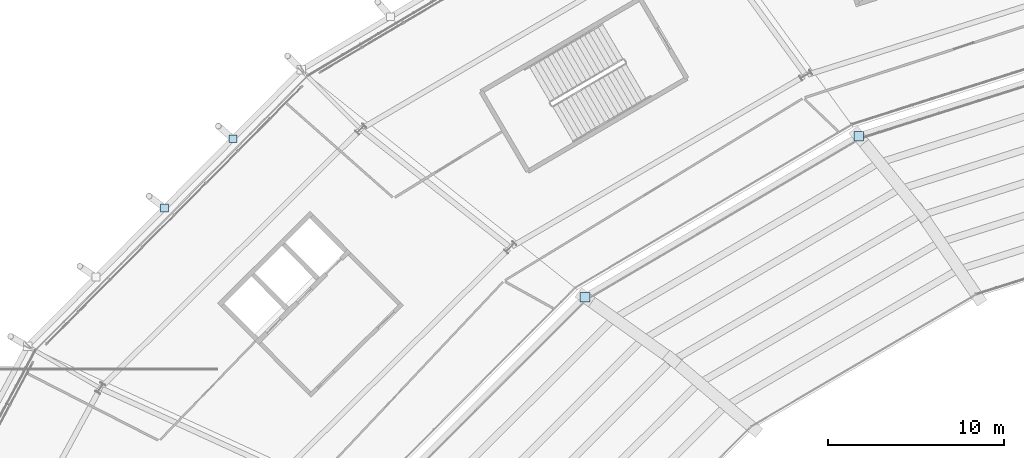
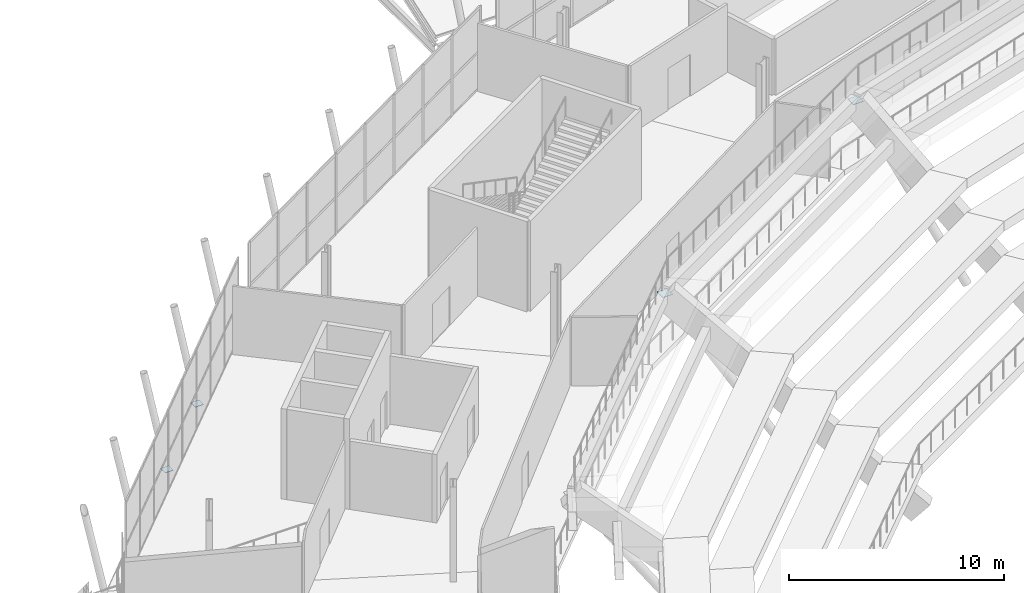
# One storey, part 81 of 126: 4 plates.
"""IFC4 building model written with IfcOpenShell, lengths in metres."""

from ifc_helpers import new_model, si_unit, direction, frame, origin, origin_2d, place, context, subcontext, project, spatial, rectangle, extrude, material, layer, layer_set, type_object, element, save


model = new_model("IFC4")

# Units and contexts
model_context = context("Model", 3, precision=1e-05, world=origin(), true_north=direction((0.0, 1.0)))
body_context = subcontext(model_context, "Body", "Model", "MODEL_VIEW")
ifc_project = project(units=[si_unit("LENGTHUNIT", "METRE"), si_unit("AREAUNIT", "SQUARE_METRE"), si_unit("VOLUMEUNIT", "CUBIC_METRE"), si_unit("PLANEANGLEUNIT", "RADIAN"), si_unit("MASSUNIT", "GRAM", prefix="KILO")], contexts=[model_context])

# Site, building, storey
site_placement = place(None, origin())
site = spatial("IfcSite", under=ifc_project, at=site_placement, CompositionType="ELEMENT")
building_placement = place(site_placement, origin())
building = spatial("IfcBuilding", under=site, at=building_placement, Name="Zlatoyarsky Gate Stadium", CompositionType="ELEMENT")
storey_placement = place(building_placement, frame((0.0, 0.0, 20.800048828125)))
storey = spatial("IfcBuildingStorey", under=building, at=storey_placement, Name="L04", CompositionType="ELEMENT", Elevation=20.800048828125)

# Plates
ifc_material = material(Name="Steel S355", Category="steel")
ifc_layer = layer(ifc_material, 0.02392578125)
ifc_layer_set = layer_set([ifc_layer], Name="Steel S355")
plate_type = type_object("IfcPlateType", Name="STEEL HOLLOW CHORD SPLICE SHEET 24", PredefinedType="SHEET", material=ifc_layer_set)
for number, where, z_axis, x_axis, name in (
    (1, (73.5, 129.79638671875, 4.177978515625), (0.0, 0.0, 1.0), (1.0, 0.0, 0.0), "Node closure plate ND-SP1 NCAP-UTOP-08"),
    (2, (57.967041015625, 120.65869140625, 4.177978515625), (0.0, 0.0, 1.0), (1.0, 0.0, 0.0), "Node closure plate ND-SP1 NCAP-UTOP-09"),
):
    element("IfcPlate", number, at=place(storey_placement, frame(where, z_axis=z_axis, x_axis=x_axis)), inside=storey, type_object=plate_type, Name=name, PredefinedType="SHEET", context=body_context, shape_type="SweptSolid", body=[
        extrude(rectangle(XDim=0.5400390625, YDim=0.5400390625, at=origin_2d()), origin(), (0.0, 0.0, 1.0), 0.02392578125),
    ])
for number, where, z_axis, x_axis, name in (
    (3, (37.982177734375, 129.654052734375, -0.56201171875), (0.0, 0.0, 1.0), (1.0, 0.0, 0.0), "Node closure plate ND-SP1 NCAP-RIB-09-1-2T"),
    (4, (34.097900390625, 125.73095703125, -0.56201171875), (0.0, 0.0, 1.0), (1.0, 0.0, 0.0), "Node closure plate ND-SP1 NCAP-RIB-09-2-2T"),
):
    element("IfcPlate", number, at=place(storey_placement, frame(where, z_axis=z_axis, x_axis=x_axis)), inside=storey, type_object=plate_type, Name=name, PredefinedType="SHEET", context=body_context, shape_type="SweptSolid", body=[
        extrude(rectangle(XDim=0.43994140625, YDim=0.43994140625, at=origin_2d()), origin(), (0.0, 0.0, 1.0), 0.02392578125),
    ])

save(model, "model.ifc")
